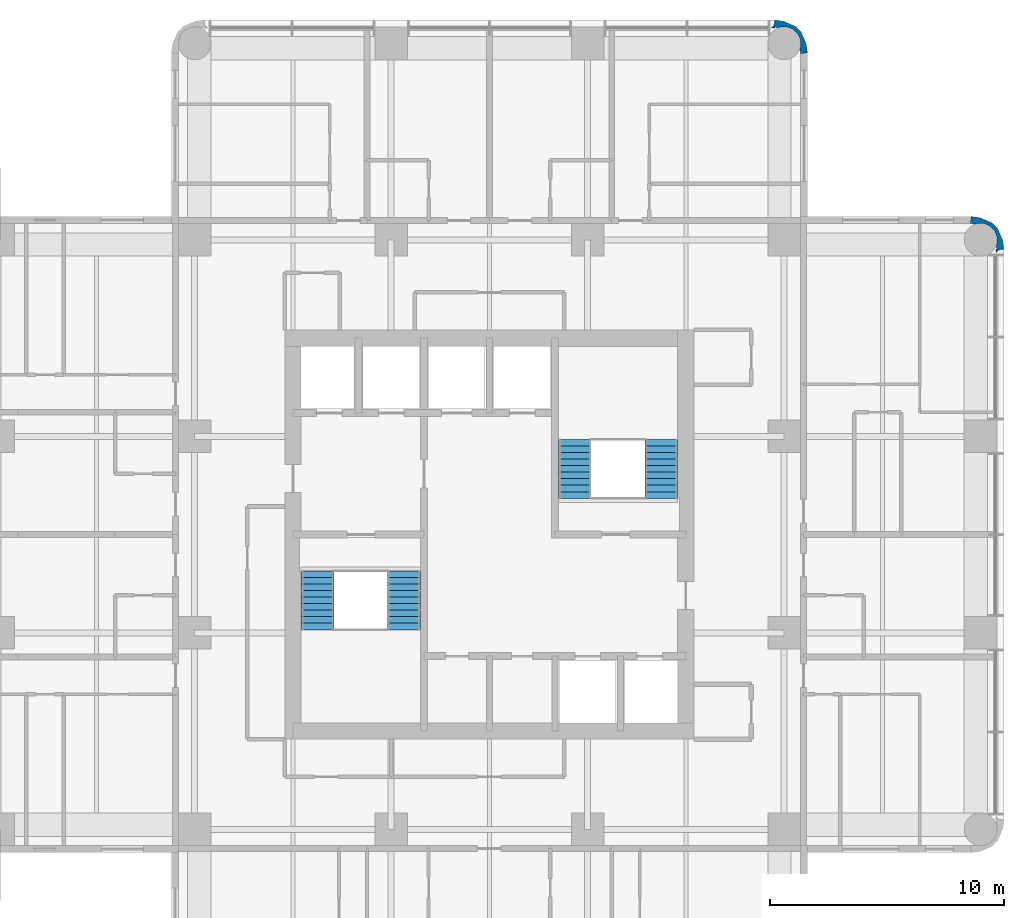
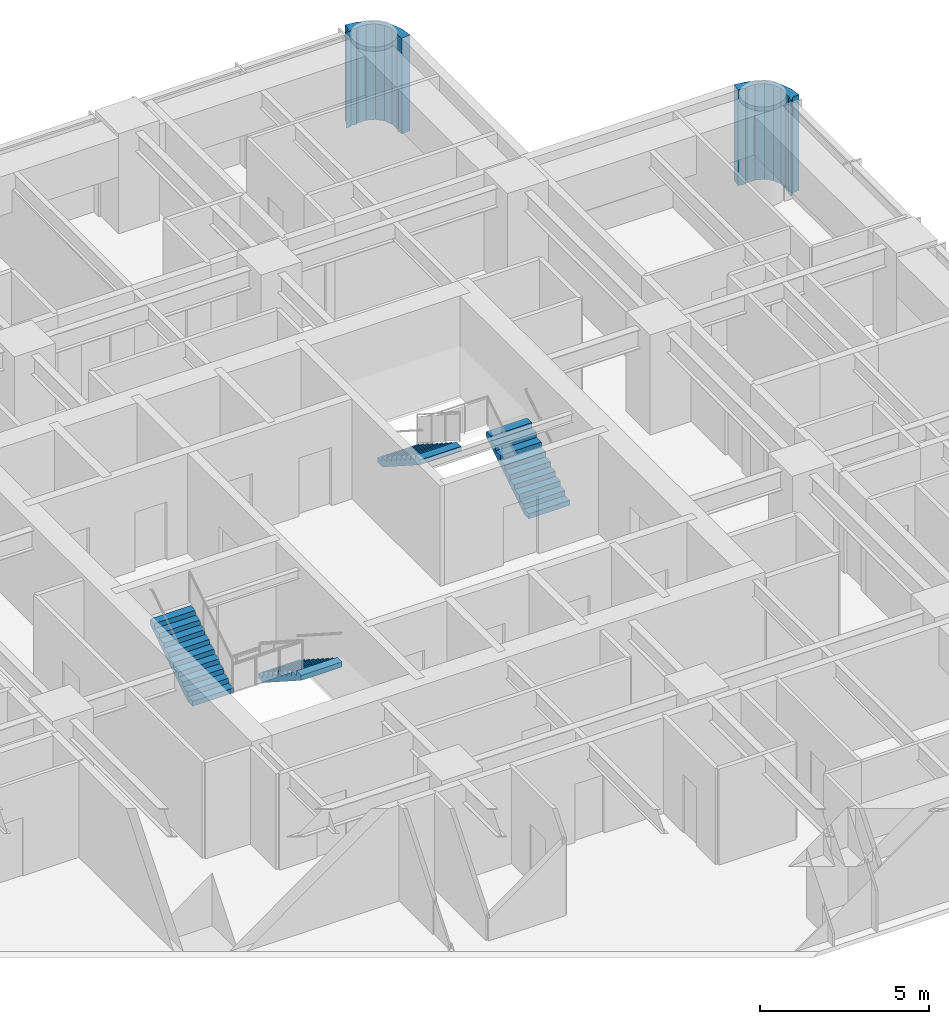
# One storey, part 10 of 11: 4 stair flights, 2 walls, 2 elements without a shape of their own.
"""IFC4 building model written with IfcOpenShell, lengths in metres."""

from ifc_helpers import new_model, si_unit, direction, frame, origin, place, context, subcontext, project, spatial, polyline, outline, extrude, material, layer, layer_set, type_object, element, aggregate, save


model = new_model("IFC4")

# Units and contexts
model_context = context("Model", 3, precision=1e-05, world=origin(), true_north=direction((0.0, 1.0)))
body_context = subcontext(model_context, "Body", "Model", "MODEL_VIEW")
ifc_project = project(units=[si_unit("LENGTHUNIT", "METRE"), si_unit("AREAUNIT", "SQUARE_METRE"), si_unit("VOLUMEUNIT", "CUBIC_METRE"), si_unit("PLANEANGLEUNIT", "RADIAN"), si_unit("MASSUNIT", "GRAM", prefix="KILO")], contexts=[model_context])

# Site, building, storey
site_placement = place(None, origin())
site = spatial("IfcSite", under=ifc_project, at=site_placement, CompositionType="ELEMENT")
building_placement = place(site_placement, origin())
building = spatial("IfcBuilding", under=site, at=building_placement, Name="Torre Alcanfor", CompositionType="ELEMENT")
storey_placement = place(building_placement, frame((0.0, 0.0, 219.300048828125)))
storey = spatial("IfcBuildingStorey", under=building, at=storey_placement, Name="L57", CompositionType="ELEMENT", Elevation=219.300048828125)

# Walls
ifc_material_1 = material(Name="Limestone cladding", Category="masonry")
ifc_layer_1 = layer(ifc_material_1, 0.0400390625, Name="Facing")
ifc_material_2 = material(Name="Ventilated air cavity")
ifc_layer_2 = layer(ifc_material_2, 0.02001953125, ventilated=True, Name="Ventilated joint")
ifc_material_3 = material(Name="Mineral wool insulation", Category="insulation")
ifc_layer_3 = layer(ifc_material_3, 0.10009765625, Name="Insulation")
ifc_material_4 = material(Name="Concrete f'c 35 MPa", Category="concrete")
ifc_layer_4 = layer(ifc_material_4, 0.139892578125, Name="Backing")
ifc_layer_set = layer_set([ifc_layer_1, ifc_layer_2, ifc_layer_3, ifc_layer_4], Name="Rounded corner pier stone-clad 300")
wall_type = type_object("IfcWallType", Name="Rounded corner pier stone-clad 300", PredefinedType="SOLIDWALL", material=ifc_layer_set)
wall_1_placement = place(storey_placement, frame((50.98815184, 41.487674505, 0.0), z_axis=(0.0, 0.0, 1.0), x_axis=(0.898030234854, 0.439933741929, 0.0)))
element("IfcWall", 1, at=wall_1_placement, inside=storey, type_object=wall_type, Name="Corner pier L57 18", PredefinedType="SOLIDWALL", context=body_context, shape_type="SweptSolid", body=[
    extrude(outline(polyline([(0.13762845900144902, -0.0395605783475044), (0.18185793649134802, -0.00033087416050568697), (0.41922313919285215, -0.08018355093564442), (0.535860291835806, 0.2661211239178742), (0.5587746083679793, 0.6308813409414961), (0.5545700157158291, 0.6511558966825934), (0.5663920082639611, 0.8356681075750403), (0.45545119814889223, 1.159160361177863), (0.33312688681130387, 1.297925592490813), (0.32402252373636403, 1.3165225487705126), (0.08234923743790223, 1.5906923948786469), (-0.22206721491752535, 1.7928353560160377), (-0.38958661601048106, 1.540782159618673), (-0.3718277173231749, 1.5320822980229156), (-0.19464371431186422, 1.4142897687749243), (-0.11970407362674929, 1.4096575385515544), (0.13067447329798665, 1.2870002306212465), (0.31526160288378063, 1.0777694581339308), (0.4057356995697948, 0.8140544036891404), (0.38812563637514036, 0.5355946934281371), (0.26546832844483254, 0.28521614650340116), (0.2089867161004748, 0.23540500505176065), (0.14757776297591008, 0.05289210976982966), (0.10504410439149783, 0.07372881532016215), (0.03190082356790798, -0.07557748105089318), (0.13762845900144902, -0.0395605783475044)])), origin(), (0.0, 0.0, 1.0), 3.449951171875),
])
wall_2_placement = place(storey_placement, frame((42.724211819, 50.110315272, 0.0), z_axis=(0.0, 0.0, 1.0), x_axis=(0.439933741929, 0.898030234854, 0.0)))
element("IfcWall", 2, at=wall_2_placement, inside=storey, type_object=wall_type, Name="Corner pier L57 19", PredefinedType="SOLIDWALL", context=body_context, shape_type="SweptSolid", body=[
    extrude(outline(polyline([(-0.14525732426811072, -0.04414433895897353), (0.0222620768248451, -0.29619753535633836), (0.3266785291802725, -0.09405457421894756), (0.5683518154787345, 0.1801152718891868), (0.5774561785536743, 0.19871222816888634), (0.6997804898912626, 0.33747745948183633), (0.8107213000063315, 0.6609697130846591), (0.7988993074581994, 0.8454819239771059), (0.8031039001103497, 0.8657564797182034), (0.7801895835781762, 1.2305166967418253), (0.6635524309352225, 1.5768213715953436), (0.42618722823371835, 1.496968694820205), (0.38195775074381944, 1.5361983990072037), (0.2762301153102783, 1.5722153017105926), (0.3493733961338682, 1.4229090053395372), (0.39190705471828047, 1.4437457108898697), (0.45331600784284515, 1.2612328156079387), (0.5097976201872029, 1.2114216741562982), (0.6324549281175107, 0.9610431272315622), (0.6500649913121652, 0.6825834169705589), (0.559590894626151, 0.4188683625257686), (0.37500376504035704, 0.20963759003845278), (0.1246252181156211, 0.08698028210814499), (0.04968557743050611, 0.08234805188477495), (-0.12749842558080457, -0.035444477363216154), (-0.14525732426811072, -0.04414433895897353)])), origin(), (0.0, 0.0, 1.0), 3.449951171875),
])

# Stair, stair flights
ifc_material_5 = material(Name="Concrete f'c 35 MPa", Category="concrete")
stair_type_1 = type_object("IfcStairType", Name="Exit stair S1 1400 wide", PredefinedType="HALF_TURN_STAIR", material=ifc_material_5)
stair_1_placement = place(storey_placement, origin())
stair_1 = element("IfcStair", 3, at=stair_1_placement, inside=storey, type_object=stair_type_1, Name="Stair S1 L57 to L58", PredefinedType="HALF_TURN_STAIR")
ifc_material_6 = material(Name="Concrete f'c 35 MPa", Category="concrete")
stair_flight_type = type_object("IfcStairFlightType", Name="Stair flight 1400", PredefinedType="STRAIGHT", material=ifc_material_6)
stair_flight_1_placement = place(storey_placement, frame((25.75, 27.85009765625, 0.0), z_axis=(0.0, 0.0, 1.0), x_axis=(0.0, -1.0, 0.0)))
stair_flight_1 = element("IfcStairFlight", 4, at=stair_flight_1_placement, type_object=stair_flight_type, Name="S1 flight 1", NumberOfRisers=10, NumberOfTreads=9, PredefinedType="STRAIGHT", RiserHeight=0.18, TreadLength=0.28, context=body_context, shape_type="SweptSolid", body=[
    extrude(outline(polyline([(0.0, 0.0), (0.0, 0.179931640625), (0.280029296875, 0.179931640625), (0.280029296875, 0.360107421875), (0.56005859375, 0.360107421875), (0.56005859375, 0.5400390625), (0.840087890625, 0.5400390625), (0.840087890625, 0.719970703125), (1.1201171875, 0.719970703125), (1.1201171875, 0.89990234375), (1.39990234375, 0.89990234375), (1.39990234375, 1.080078125), (1.679931640625, 1.080078125), (1.679931640625, 1.260009765625), (1.9599609375, 1.260009765625), (1.9599609375, 1.43994140625), (2.239990234375, 1.43994140625), (2.239990234375, 1.6201171875), (2.52001953125, 1.6201171875), (2.52001953125, 1.800048828125), (2.52001953125, 1.44189453125), (0.277099609375, 0.0), (0.0, 0.0)])), frame((0.0, 0.699951171875, 0.0), z_axis=(0.0, -1.0, 0.0), x_axis=(1.0, 0.0, 0.0)), (0.0, 0.0, 1.0), 1.39990234375),
])
stair_flight_2_placement = place(storey_placement, frame((22.050048828125, 25.330078125, 1.800048828125), z_axis=(0.0, 0.0, 1.0), x_axis=(0.0, 1.0, 0.0)))
stair_flight_2 = element("IfcStairFlight", 5, at=stair_flight_2_placement, type_object=stair_flight_type, Name="S1 flight 2", NumberOfRisers=10, NumberOfTreads=9, PredefinedType="STRAIGHT", RiserHeight=0.18, TreadLength=0.28, context=body_context, shape_type="SweptSolid", body=[
    extrude(outline(polyline([(0.0, 0.0), (0.0, 0.179931640625), (0.280029296875, 0.179931640625), (0.280029296875, 0.360107421875), (0.56005859375, 0.360107421875), (0.56005859375, 0.5400390625), (0.840087890625, 0.5400390625), (0.840087890625, 0.719970703125), (1.1201171875, 0.719970703125), (1.1201171875, 0.89990234375), (1.39990234375, 0.89990234375), (1.39990234375, 1.080078125), (1.679931640625, 1.080078125), (1.679931640625, 1.260009765625), (1.9599609375, 1.260009765625), (1.9599609375, 1.43994140625), (2.239990234375, 1.43994140625), (2.239990234375, 1.6201171875), (2.52001953125, 1.6201171875), (2.52001953125, 1.800048828125), (2.52001953125, 1.44189453125), (0.277099609375, 0.0), (0.0, 0.0)])), frame((0.0, 0.699951171875, 0.0), z_axis=(0.0, -1.0, 0.0), x_axis=(1.0, 0.0, 0.0)), (0.0, 0.0, 1.0), 1.39990234375),
])
aggregate(stair_1, [stair_flight_1, stair_flight_2])

ifc_material_7 = material(Name="Concrete f'c 35 MPa", Category="concrete")
stair_type_2 = type_object("IfcStairType", Name="Exit stair S2 1400 wide", PredefinedType="HALF_TURN_STAIR", material=ifc_material_7)
stair_2_placement = place(storey_placement, origin())
stair_2 = element("IfcStair", 6, at=stair_2_placement, inside=storey, type_object=stair_type_2, Name="Stair S2 L57 to L58", PredefinedType="HALF_TURN_STAIR")
stair_flight_3_placement = place(storey_placement, frame((36.75, 30.949951171875, 0.0), z_axis=(0.0, 0.0, 1.0), x_axis=(0.0, 1.0, 0.0)))
stair_flight_3 = element("IfcStairFlight", 7, at=stair_flight_3_placement, type_object=stair_flight_type, Name="S2 flight 1", NumberOfRisers=10, NumberOfTreads=9, PredefinedType="STRAIGHT", RiserHeight=0.18, TreadLength=0.28, context=body_context, shape_type="SweptSolid", body=[
    extrude(outline(polyline([(0.0, 0.0), (0.0, 0.179931640625), (0.280029296875, 0.179931640625), (0.280029296875, 0.360107421875), (0.56005859375, 0.360107421875), (0.56005859375, 0.5400390625), (0.840087890625, 0.5400390625), (0.840087890625, 0.719970703125), (1.1201171875, 0.719970703125), (1.1201171875, 0.89990234375), (1.39990234375, 0.89990234375), (1.39990234375, 1.080078125), (1.679931640625, 1.080078125), (1.679931640625, 1.260009765625), (1.9599609375, 1.260009765625), (1.9599609375, 1.43994140625), (2.239990234375, 1.43994140625), (2.239990234375, 1.6201171875), (2.52001953125, 1.6201171875), (2.52001953125, 1.800048828125), (2.52001953125, 1.44189453125), (0.277099609375, 0.0), (0.0, 0.0)])), frame((0.0, 0.699951171875, 0.0), z_axis=(0.0, -1.0, 0.0), x_axis=(1.0, 0.0, 0.0)), (0.0, 0.0, 1.0), 1.39990234375),
])
stair_flight_4_placement = place(storey_placement, frame((33.050048828125, 33.469970703125, 1.800048828125), z_axis=(0.0, 0.0, 1.0), x_axis=(0.0, -1.0, 0.0)))
stair_flight_4 = element("IfcStairFlight", 8, at=stair_flight_4_placement, type_object=stair_flight_type, Name="S2 flight 2", NumberOfRisers=10, NumberOfTreads=9, PredefinedType="STRAIGHT", RiserHeight=0.18, TreadLength=0.28, context=body_context, shape_type="SweptSolid", body=[
    extrude(outline(polyline([(0.0, 0.0), (0.0, 0.179931640625), (0.280029296875, 0.179931640625), (0.280029296875, 0.360107421875), (0.56005859375, 0.360107421875), (0.56005859375, 0.5400390625), (0.840087890625, 0.5400390625), (0.840087890625, 0.719970703125), (1.1201171875, 0.719970703125), (1.1201171875, 0.89990234375), (1.39990234375, 0.89990234375), (1.39990234375, 1.080078125), (1.679931640625, 1.080078125), (1.679931640625, 1.260009765625), (1.9599609375, 1.260009765625), (1.9599609375, 1.43994140625), (2.239990234375, 1.43994140625), (2.239990234375, 1.6201171875), (2.52001953125, 1.6201171875), (2.52001953125, 1.800048828125), (2.52001953125, 1.44189453125), (0.277099609375, 0.0), (0.0, 0.0)])), frame((0.0, 0.699951171875, 0.0), z_axis=(0.0, -1.0, 0.0), x_axis=(1.0, 0.0, 0.0)), (0.0, 0.0, 1.0), 1.39990234375),
])
aggregate(stair_2, [stair_flight_3, stair_flight_4])

save(model, "model.ifc")
